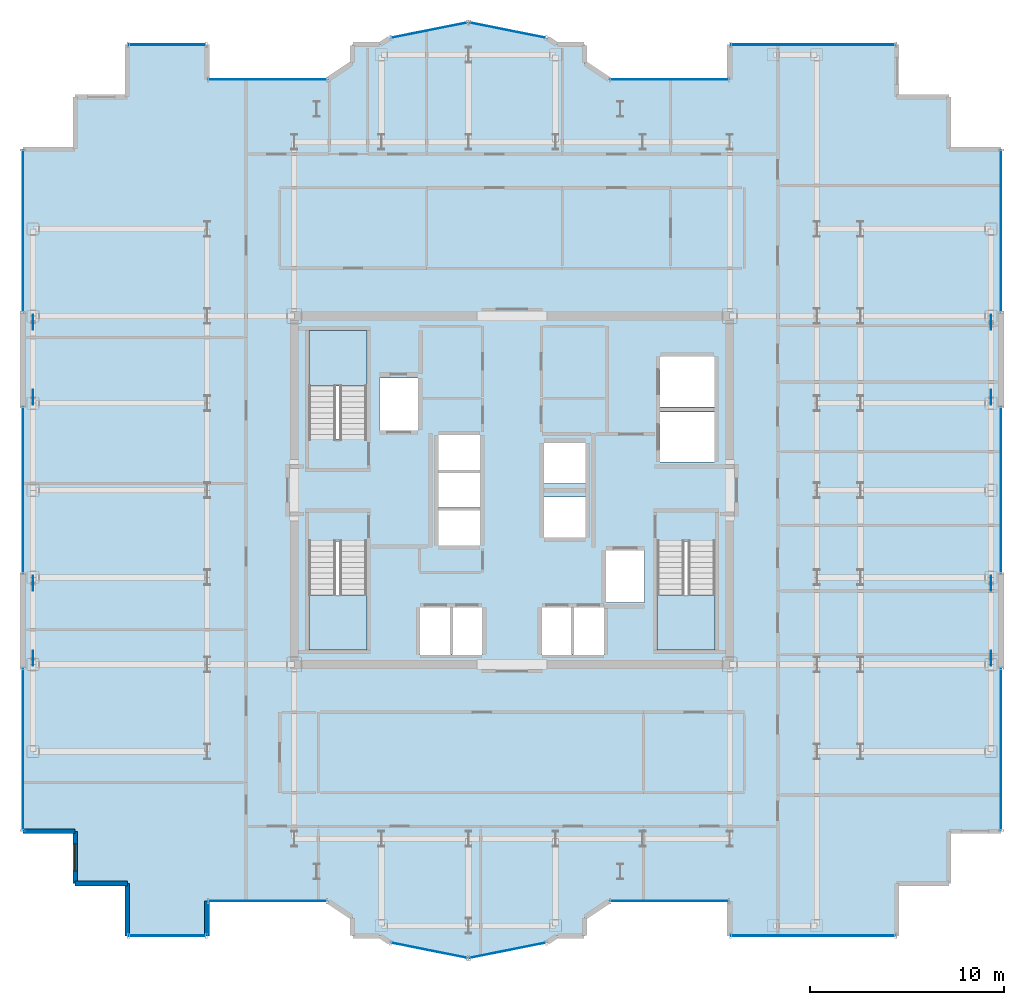
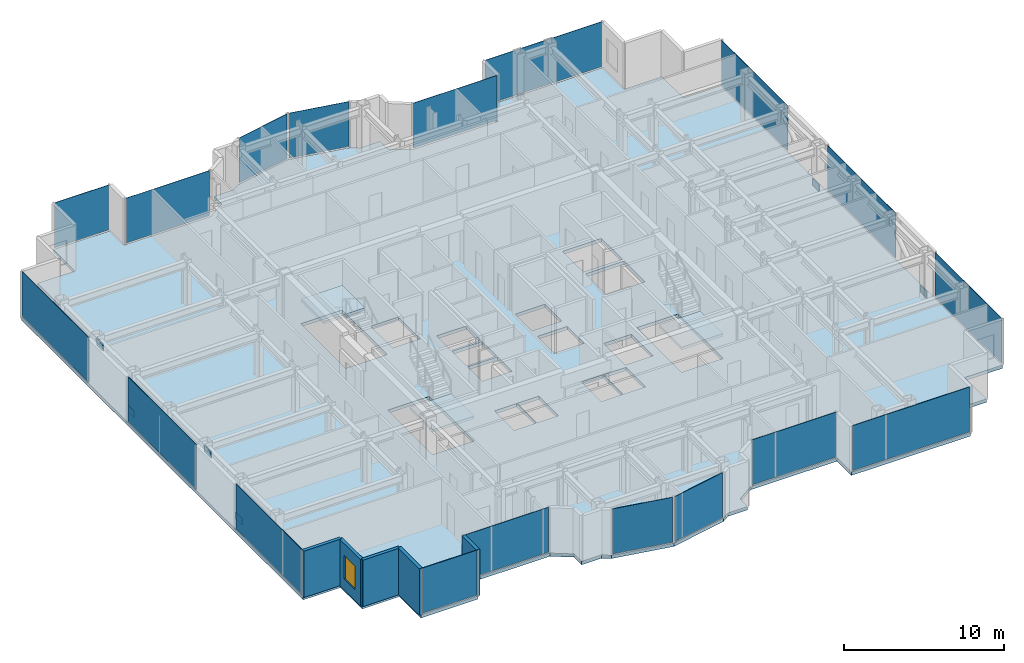
# One storey, part 14 of 21: 26 plates, 5 walls, 4 slabs, 1 window, 1 opening, 21 elements without a shape of their own.
"""IFC4 building model written with IfcOpenShell, lengths in metres."""

from ifc_helpers import new_model, si_unit, direction, frame, frame_2d, origin, origin_2d, place, context, subcontext, project, spatial, polyline, rectangle, outline, extrude, source, transform, mapped, material, layer, layer_set, type_object, element, fill, aggregate, save


model = new_model("IFC4")

# Units and contexts
model_context = context("Model", 3, precision=1e-05, world=origin(), true_north=direction((0.0, 1.0)))
body_context = subcontext(model_context, "Body", "Model", "MODEL_VIEW")
ifc_project = project(units=[si_unit("LENGTHUNIT", "METRE"), si_unit("AREAUNIT", "SQUARE_METRE"), si_unit("VOLUMEUNIT", "CUBIC_METRE"), si_unit("PLANEANGLEUNIT", "RADIAN"), si_unit("MASSUNIT", "GRAM", prefix="KILO")], contexts=[model_context])

# Site, building, storey
site_placement = place(None, origin())
site = spatial("IfcSite", under=ifc_project, at=site_placement, CompositionType="ELEMENT")
building_placement = place(site_placement, origin())
building = spatial("IfcBuilding", under=site, at=building_placement, Name="Nefas-Gora Pilgrimage Tower", CompositionType="ELEMENT")
storey_placement = place(building_placement, frame((0.0, 0.0, 252.199951171875)))
storey = spatial("IfcBuildingStorey", under=building, at=storey_placement, Name="L63", CompositionType="ELEMENT", Elevation=252.199951171875)

# Slab
ifc_material_1 = material(Name="Concrete C40/50", Category="concrete")
ifc_layer_1 = layer(ifc_material_1, 0.25)
ifc_layer_set_1 = layer_set([ifc_layer_1], Name="Concrete C40/50")
slab_type_1 = type_object("IfcSlabType", Name="SLB-TWR-260", PredefinedType="FLOOR", material=ifc_layer_set_1)
slab_1_placement = place(storey_placement, frame((0.0, 0.0, -0.25)))
element("IfcSlab", 1, at=slab_1_placement, inside=storey, type_object=slab_type_1, Name="L63 Structural Floor Slab", PredefinedType="FLOOR", context=body_context, shape_type="SweptSolid", body=[
    extrude(outline(polyline([(5.01806640625, -21.219970703125), (11.25, -21.219970703125), (11.25, -23.02001953125), (19.8701171875, -23.02001953125), (19.8701171875, -20.320068359375), (22.570068359375, -20.320068359375), (22.570068359375, -17.6201171875), (25.27001953125, -17.6201171875), (25.27001953125, 17.6201171875), (22.570068359375, 17.6201171875), (22.570068359375, 20.320068359375), (19.8701171875, 20.320068359375), (19.8701171875, 23.02001953125), (11.25, 23.02001953125), (11.25, 21.219970703125), (5.01806640625, 21.219970703125), (3.75, 22.0673828125), (3.75, 23.02001953125), (2.32421875, 23.02001953125), (1.807373046875, 23.365234375), (-2.25, 24.17236328125), (-6.307373046875, 23.365234375), (-6.82421875, 23.02001953125), (-8.25, 23.02001953125), (-8.25, 22.0673828125), (-9.51806640625, 21.219970703125), (-15.75, 21.219970703125), (-15.75, 23.02001953125), (-19.8701171875, 23.02001953125), (-19.8701171875, 20.320068359375), (-22.570068359375, 20.320068359375), (-22.570068359375, 17.6201171875), (-25.27001953125, 17.6201171875), (-25.27001953125, -17.6201171875), (-22.570068359375, -17.6201171875), (-22.570068359375, -20.320068359375), (-19.8701171875, -20.320068359375), (-19.8701171875, -23.02001953125), (-15.75, -23.02001953125), (-15.75, -21.219970703125), (-9.51806640625, -21.219970703125), (-8.25, -22.0673828125), (-8.25, -23.02001953125), (-6.82421875, -23.02001953125), (-6.307373046875, -23.365234375), (-2.25, -24.17236328125), (1.807373046875, -23.365234375), (2.32421875, -23.02001953125), (3.75, -23.02001953125), (3.75, -22.0673828125), (5.01806640625, -21.219970703125)]), holes=[polyline([(-10.5, 2.639892578125), (-10.5, 8.25), (-7.5, 8.25), (-7.5, 2.639892578125), (-10.5, 2.639892578125)]), polyline([(10.5, -2.639892578125), (10.5, -8.25), (7.5, -8.25), (7.5, -2.639892578125), (10.5, -2.639892578125)]), polyline([(-7.5, -2.639892578125), (-7.5, -8.25), (-10.5, -8.25), (-10.5, -2.639892578125), (-7.5, -2.639892578125)]), polyline([(-6.85009765625, 5.800048828125), (-4.85009765625, 5.800048828125), (-4.85009765625, 3.10009765625), (-6.85009765625, 3.10009765625), (-6.85009765625, 5.800048828125)]), polyline([(4.85009765625, -3.10009765625), (6.85009765625, -3.10009765625), (6.85009765625, -5.800048828125), (4.85009765625, -5.800048828125), (4.85009765625, -3.10009765625)]), polyline([(7.64990234375, 4.050048828125), (10.449951171875, 4.050048828125), (10.449951171875, 1.449951171875), (7.64990234375, 1.449951171875), (7.64990234375, 4.050048828125)]), polyline([(7.64990234375, 6.89990234375), (10.449951171875, 6.89990234375), (10.449951171875, 4.300048828125), (7.64990234375, 4.300048828125), (7.64990234375, 6.89990234375)]), polyline([(-4.75, -6.050048828125), (-3.14990234375, -6.050048828125), (-3.14990234375, -8.5), (-4.75, -8.5), (-4.75, -6.050048828125)]), polyline([(-3.10009765625, -6.050048828125), (-1.550048828125, -6.050048828125), (-1.550048828125, -8.5), (-3.10009765625, -8.5), (-3.10009765625, -6.050048828125)]), polyline([(1.550048828125, -6.050048828125), (3.10009765625, -6.050048828125), (3.10009765625, -8.5), (1.550048828125, -8.5), (1.550048828125, -6.050048828125)]), polyline([(3.14990234375, -6.050048828125), (4.75, -6.050048828125), (4.75, -8.5), (3.14990234375, -8.5), (3.14990234375, -6.050048828125)]), polyline([(-3.800048828125, -1.050048828125), (-1.64990234375, -1.050048828125), (-1.64990234375, -2.85009765625), (-3.800048828125, -2.85009765625), (-3.800048828125, -1.050048828125)]), polyline([(-3.800048828125, 0.89990234375), (-1.64990234375, 0.89990234375), (-1.64990234375, -0.89990234375), (-3.800048828125, -0.89990234375), (-3.800048828125, 0.89990234375)]), polyline([(-3.800048828125, 2.85009765625), (-1.64990234375, 2.85009765625), (-1.64990234375, 1.050048828125), (-3.800048828125, 1.050048828125), (-3.800048828125, 2.85009765625)]), polyline([(1.64990234375, -0.35009765625), (3.800048828125, -0.35009765625), (3.800048828125, -2.449951171875), (1.64990234375, -2.449951171875), (1.64990234375, -0.35009765625)]), polyline([(1.64990234375, 2.449951171875), (3.800048828125, 2.449951171875), (3.800048828125, 0.35009765625), (1.64990234375, 0.35009765625), (1.64990234375, 2.449951171875)])]), origin(), (0.0, 0.0, 1.0), 0.25),
])

# Stair, slab
ifc_material_2 = material(Name="Concrete C45/55", Category="concrete")
stair_type = type_object("IfcStairType", Name="STR-1400-R1727", PredefinedType="HALF_TURN_STAIR", material=ifc_material_2)
stair_1_placement = place(storey_placement, origin())
stair_1 = element("IfcStair", 2, at=stair_1_placement, inside=storey, type_object=stair_type, Name="L63 Pressurised Tower Exit Stair ST-01", PredefinedType="HALF_TURN_STAIR")
ifc_layer_2 = layer(ifc_material_1, 0.199951171875)
ifc_layer_set_2 = layer_set([ifc_layer_2], Name="Concrete C40/50")
slab_type_2 = type_object("IfcSlabType", Name="STR-LAND-200", PredefinedType="LANDING", material=ifc_layer_set_2)
slab_2_placement = place(storey_placement, frame((0.0, 0.0, 1.699951171875)))
slab_2 = element("IfcSlab", 3, at=slab_2_placement, type_object=slab_type_2, Name="ST-01 landing 1", PredefinedType="LANDING", context=body_context, shape_type="SweptSolid", body=[
    extrude(outline(polyline([(-7.5, 5.39990234375), (-7.5, 8.25), (-10.5, 8.25), (-10.5, 5.39990234375), (-7.5, 5.39990234375)])), origin(), (0.0, 0.0, 1.0), 0.2001953125),
])
aggregate(stair_1, [slab_2])

stair_2_placement = place(storey_placement, origin())
stair_2 = element("IfcStair", 4, at=stair_2_placement, inside=storey, type_object=stair_type, Name="L63 Pressurised Tower Exit Stair ST-02", PredefinedType="HALF_TURN_STAIR")
slab_3_placement = place(storey_placement, frame((0.0, 0.0, 1.699951171875)))
slab_3 = element("IfcSlab", 5, at=slab_3_placement, type_object=slab_type_2, Name="ST-02 landing 1", PredefinedType="LANDING", context=body_context, shape_type="SweptSolid", body=[
    extrude(outline(polyline([(7.5, -5.39990234375), (7.5, -8.25), (10.5, -8.25), (10.5, -5.39990234375), (7.5, -5.39990234375)])), origin(), (0.0, 0.0, 1.0), 0.2001953125),
])
aggregate(stair_2, [slab_3])

stair_3_placement = place(storey_placement, origin())
stair_3 = element("IfcStair", 6, at=stair_3_placement, inside=storey, type_object=stair_type, Name="L63 Pressurised Tower Exit Stair ST-03", PredefinedType="HALF_TURN_STAIR")
slab_4_placement = place(storey_placement, frame((0.0, 0.0, 1.699951171875)))
slab_4 = element("IfcSlab", 7, at=slab_4_placement, type_object=slab_type_2, Name="ST-03 landing 1", PredefinedType="LANDING", context=body_context, shape_type="SweptSolid", body=[
    extrude(outline(polyline([(-10.5, -5.39990234375), (-10.5, -8.25), (-7.5, -8.25), (-7.5, -5.39990234375), (-10.5, -5.39990234375)])), origin(), (0.0, 0.0, 1.0), 0.2001953125),
])
aggregate(stair_3, [slab_4])

# Plates
ifc_material_3 = material(Name="Steel S460", Category="steel")
ifc_layer_3 = layer(ifc_material_3, 0.050048828125)
ifc_layer_set_3 = layer_set([ifc_layer_3], Name="Steel S460")
plate_type_1 = type_object("IfcPlateType", Name="PLT-NODE-N08", PredefinedType="USERDEFINED", material=ifc_layer_set_3)
shared_shape_1 = source(origin(), body_context, "Body", "SweptSolid", [
    extrude(rectangle(XDim=0.780029296875, YDim=0.0380859375, at=origin_2d()), origin(), (0.0, 0.0, 1.0), 0.5400390625),
])
for number, where, z_axis, x_axis, name in (
    (8, (-24.75, -8.68701171875, 0.10400390625), (0.0, 0.0, 1.0), (0.0, 1.0, 0.0), "Structural Node Gusset Plate N08 (L63)"),
    (9, (-24.75, -4.81298828125, 2.8759765625), (0.0, 0.0, 1.0), (0.0, 1.0, 0.0), "Structural Node Gusset Plate N08 (L63)"),
    (10, (-24.75, 4.81298828125, 0.10400390625), (0.0, 0.0, 1.0), (0.0, 1.0, 0.0), "Structural Node Gusset Plate N08 (L63)"),
    (11, (-24.75, 8.68701171875, 2.8759765625), (0.0, 0.0, 1.0), (0.0, 1.0, 0.0), "Structural Node Gusset Plate N08 (L63)"),
    (12, (24.75, -8.68701171875, 0.10400390625), (0.0, 0.0, 1.0), (0.0, 1.0, 0.0), "Structural Node Gusset Plate N08 (L63)"),
    (13, (24.75, -4.81298828125, 2.8759765625), (0.0, 0.0, 1.0), (0.0, 1.0, 0.0), "Structural Node Gusset Plate N08 (L63)"),
    (14, (24.75, 4.81298828125, 0.10400390625), (0.0, 0.0, 1.0), (0.0, 1.0, 0.0), "Structural Node Gusset Plate N08 (L63)"),
    (15, (24.75, 8.68701171875, 2.8759765625), (0.0, 0.0, 1.0), (0.0, 1.0, 0.0), "Structural Node Gusset Plate N08 (L63)"),
):
    element("IfcPlate", number, at=place(storey_placement, frame(where, z_axis=z_axis, x_axis=x_axis)), inside=storey, type_object=plate_type_1, Name=name, ObjectType="GUSSET_PLATE", PredefinedType="USERDEFINED", context=body_context, shape_type="MappedRepresentation", body=[
        mapped(shared_shape_1, transform((0.0, 0.0, 0.0), x_axis=(1.0, 0.0, 0.0), y_axis=(0.0, 1.0, 0.0), z_axis=(0.0, 0.0, 1.0), scale=1.0)),
    ])

# Curtain wall, plate
ifc_material_4 = material(Name="Dark ceramic-fritted solar-control aluminium-glass curtain wall", Category="aluminium")
ifc_layer_4 = layer(ifc_material_4, 0.219970703125)
ifc_layer_set_4 = layer_set([ifc_layer_4], Name="Dark ceramic-fritted solar-control aluminium-glass curtain wall")
curtain_wall_type_1 = type_object("IfcCurtainWallType", Name="CW-SYS-5", PredefinedType="NOTDEFINED", material=ifc_layer_set_4)
curtain_wall_1_placement = place(storey_placement, origin())
curtain_wall_1 = element("IfcCurtainWall", 16, at=curtain_wall_1_placement, inside=storey, type_object=curtain_wall_type_1, Name="L63 Unitised Curtain Wall CW5", PredefinedType="NOTDEFINED")
ifc_material_5 = material(Name="Dark ceramic-printed low-e insulated glass", Category="glass")
ifc_layer_5 = layer(ifc_material_5, 0.028076171875)
ifc_layer_set_5 = layer_set([ifc_layer_5], Name="Dark ceramic-printed low-e insulated glass")
plate_type_2 = type_object("IfcPlateType", Name="CWP-PNL-5", PredefinedType="CURTAIN_PANEL", material=ifc_layer_set_5)
shared_shape_2 = source(origin(), body_context, "Body", "SweptSolid", [
    extrude(rectangle(XDim=6.052001953125, YDim=0.028076171875, at=origin_2d()), origin(), (0.0, 0.0, 1.0), 3.43994140625),
])
plate_1_placement = place(storey_placement, frame((8.134033203125, -21.219970703125, 0.10009765625), z_axis=(0.0, 0.0, 1.0), x_axis=(1.0, 0.0, 0.0)))
plate_1 = element("IfcPlate", 17, at=plate_1_placement, type_object=plate_type_2, Name="CW5 Ceramic-Fritted Glazing Panel 1", PredefinedType="CURTAIN_PANEL", context=body_context, shape_type="MappedRepresentation", body=[
    mapped(shared_shape_2, transform((0.0, 0.0, 0.0), x_axis=(1.0, 0.0, 0.0), y_axis=(0.0, 1.0, 0.0), z_axis=(0.0, 0.0, 1.0), scale=1.0)),
])
aggregate(curtain_wall_1, [plate_1])

curtain_wall_2_placement = place(storey_placement, origin())
curtain_wall_2 = element("IfcCurtainWall", 18, at=curtain_wall_2_placement, inside=storey, type_object=curtain_wall_type_1, Name="L63 Unitised Curtain Wall CW5", PredefinedType="NOTDEFINED")
plate_2_placement = place(storey_placement, frame((8.134033203125, 21.219970703125, 0.10009765625), z_axis=(0.0, 0.0, 1.0), x_axis=(-1.0, 0.0, 0.0)))
plate_2 = element("IfcPlate", 19, at=plate_2_placement, type_object=plate_type_2, Name="CW5 Ceramic-Fritted Glazing Panel 1", PredefinedType="CURTAIN_PANEL", context=body_context, shape_type="MappedRepresentation", body=[
    mapped(shared_shape_2, transform((0.0, 0.0, 0.0), x_axis=(1.0, 0.0, 0.0), y_axis=(0.0, 1.0, 0.0), z_axis=(0.0, 0.0, 1.0), scale=1.0)),
])
aggregate(curtain_wall_2, [plate_2])

curtain_wall_3_placement = place(storey_placement, origin())
curtain_wall_3 = element("IfcCurtainWall", 20, at=curtain_wall_3_placement, inside=storey, type_object=curtain_wall_type_1, Name="L63 Unitised Curtain Wall CW5", PredefinedType="NOTDEFINED")
plate_3_placement = place(storey_placement, frame((-12.634033203125, 21.219970703125, 0.10009765625), z_axis=(0.0, 0.0, 1.0), x_axis=(-1.0, 0.0, 0.0)))
plate_3 = element("IfcPlate", 21, at=plate_3_placement, type_object=plate_type_2, Name="CW5 Ceramic-Fritted Glazing Panel 1", PredefinedType="CURTAIN_PANEL", context=body_context, shape_type="MappedRepresentation", body=[
    mapped(shared_shape_2, transform((0.0, 0.0, 0.0), x_axis=(1.0, 0.0, 0.0), y_axis=(0.0, 1.0, 0.0), z_axis=(0.0, 0.0, 1.0), scale=1.0)),
])
aggregate(curtain_wall_3, [plate_3])

curtain_wall_4_placement = place(storey_placement, origin())
curtain_wall_4 = element("IfcCurtainWall", 22, at=curtain_wall_4_placement, inside=storey, type_object=curtain_wall_type_1, Name="L63 Unitised Curtain Wall CW5", PredefinedType="NOTDEFINED")
plate_4_placement = place(storey_placement, frame((-12.634033203125, -21.219970703125, 0.10009765625), z_axis=(0.0, 0.0, 1.0), x_axis=(1.0, 0.0, 0.0)))
plate_4 = element("IfcPlate", 23, at=plate_4_placement, type_object=plate_type_2, Name="CW5 Ceramic-Fritted Glazing Panel 1", PredefinedType="CURTAIN_PANEL", context=body_context, shape_type="MappedRepresentation", body=[
    mapped(shared_shape_2, transform((0.0, 0.0, 0.0), x_axis=(1.0, 0.0, 0.0), y_axis=(0.0, 1.0, 0.0), z_axis=(0.0, 0.0, 1.0), scale=1.0)),
])
aggregate(curtain_wall_4, [plate_4])

curtain_wall_5_placement = place(storey_placement, origin())
curtain_wall_5 = element("IfcCurtainWall", 24, at=curtain_wall_5_placement, inside=storey, type_object=curtain_wall_type_1, Name="L63 Unitised Curtain Wall CW5", PredefinedType="NOTDEFINED")
shared_shape_3 = source(origin(), body_context, "Body", "SweptSolid", [
    extrude(rectangle(XDim=3.956787109375, YDim=0.028076171875, at=origin_2d()), origin(), (0.0, 0.0, 1.0), 3.43994140625),
])
plate_5_placement = place(storey_placement, frame((-0.22119140625, 23.768798828125, 0.10009765625), z_axis=(0.0, 0.0, 1.0), x_axis=(-0.980782896852, 0.195102304554, 0.0)))
plate_5 = element("IfcPlate", 25, at=plate_5_placement, type_object=plate_type_2, Name="CW5 Ceramic-Fritted Glazing Panel 1", PredefinedType="CURTAIN_PANEL", context=body_context, shape_type="MappedRepresentation", body=[
    mapped(shared_shape_3, transform((0.0, 0.0, 0.0), x_axis=(1.0, 0.0, 0.0), y_axis=(0.0, 1.0, 0.0), z_axis=(0.0, 0.0, 1.0), scale=1.0)),
])
aggregate(curtain_wall_5, [plate_5])

curtain_wall_6_placement = place(storey_placement, origin())
curtain_wall_6 = element("IfcCurtainWall", 26, at=curtain_wall_6_placement, inside=storey, type_object=curtain_wall_type_1, Name="L63 Unitised Curtain Wall CW5", PredefinedType="NOTDEFINED")
plate_6_placement = place(storey_placement, frame((-4.278564453125, 23.768798828125, 0.10009765625), z_axis=(0.0, 0.0, 1.0), x_axis=(-0.980782896852, -0.195102304554, 0.0)))
plate_6 = element("IfcPlate", 27, at=plate_6_placement, type_object=plate_type_2, Name="CW5 Ceramic-Fritted Glazing Panel 1", PredefinedType="CURTAIN_PANEL", context=body_context, shape_type="MappedRepresentation", body=[
    mapped(shared_shape_3, transform((0.0, 0.0, 0.0), x_axis=(1.0, 0.0, 0.0), y_axis=(0.0, 1.0, 0.0), z_axis=(0.0, 0.0, 1.0), scale=1.0)),
])
aggregate(curtain_wall_6, [plate_6])

curtain_wall_7_placement = place(storey_placement, origin())
curtain_wall_7 = element("IfcCurtainWall", 28, at=curtain_wall_7_placement, inside=storey, type_object=curtain_wall_type_1, Name="L63 Unitised Curtain Wall CW5", PredefinedType="NOTDEFINED")
plate_7_placement = place(storey_placement, frame((-4.278564453125, -23.768798828125, 0.10009765625), z_axis=(0.0, 0.0, 1.0), x_axis=(0.980782896852, -0.195102304554, 0.0)))
plate_7 = element("IfcPlate", 29, at=plate_7_placement, type_object=plate_type_2, Name="CW5 Ceramic-Fritted Glazing Panel 1", PredefinedType="CURTAIN_PANEL", context=body_context, shape_type="MappedRepresentation", body=[
    mapped(shared_shape_3, transform((0.0, 0.0, 0.0), x_axis=(1.0, 0.0, 0.0), y_axis=(0.0, 1.0, 0.0), z_axis=(0.0, 0.0, 1.0), scale=1.0)),
])
aggregate(curtain_wall_7, [plate_7])

curtain_wall_8_placement = place(storey_placement, origin())
curtain_wall_8 = element("IfcCurtainWall", 30, at=curtain_wall_8_placement, inside=storey, type_object=curtain_wall_type_1, Name="L63 Unitised Curtain Wall CW5", PredefinedType="NOTDEFINED")
plate_8_placement = place(storey_placement, frame((-0.221435546875, -23.768798828125, 0.10009765625), z_axis=(0.0, 0.0, 1.0), x_axis=(0.980782896852, 0.195102304554, 0.0)))
plate_8 = element("IfcPlate", 31, at=plate_8_placement, type_object=plate_type_2, Name="CW5 Ceramic-Fritted Glazing Panel 1", PredefinedType="CURTAIN_PANEL", context=body_context, shape_type="MappedRepresentation", body=[
    mapped(shared_shape_3, transform((0.0, 0.0, 0.0), x_axis=(1.0, 0.0, 0.0), y_axis=(0.0, 1.0, 0.0), z_axis=(0.0, 0.0, 1.0), scale=1.0)),
])
aggregate(curtain_wall_8, [plate_8])

ifc_layer_6 = layer(ifc_material_4, 0.219970703125)
ifc_layer_set_6 = layer_set([ifc_layer_6], Name="Dark ceramic-fritted solar-control aluminium-glass curtain wall")
curtain_wall_type_2 = type_object("IfcCurtainWallType", Name="CW-SYS-3", PredefinedType="NOTDEFINED", material=ifc_layer_set_6)
curtain_wall_9_placement = place(storey_placement, origin())
curtain_wall_9 = element("IfcCurtainWall", 32, at=curtain_wall_9_placement, inside=storey, type_object=curtain_wall_type_2, Name="L63 Unitised Curtain Wall CW3", PredefinedType="NOTDEFINED")
ifc_layer_7 = layer(ifc_material_5, 0.033935546875)
ifc_layer_set_7 = layer_set([ifc_layer_7], Name="Dark ceramic-printed low-e insulated glass")
plate_type_3 = type_object("IfcPlateType", Name="CWP-PNL-3", PredefinedType="CURTAIN_PANEL", material=ifc_layer_set_7)
shared_shape_4 = source(origin(), body_context, "Body", "SweptSolid", [
    extrude(rectangle(XDim=8.43994140625, YDim=0.033935546875, at=origin_2d()), origin(), (0.0, 0.0, 1.0), 3.43994140625),
])
plate_9_placement = place(storey_placement, frame((15.56005859375, -23.02001953125, 0.10009765625), z_axis=(0.0, 0.0, 1.0), x_axis=(1.0, 0.0, 0.0)))
plate_9 = element("IfcPlate", 33, at=plate_9_placement, type_object=plate_type_3, Name="CW3 Ceramic-Fritted Glazing Panel 1", PredefinedType="CURTAIN_PANEL", context=body_context, shape_type="MappedRepresentation", body=[
    mapped(shared_shape_4, transform((0.0, 0.0, 0.0), x_axis=(1.0, 0.0, 0.0), y_axis=(0.0, 1.0, 0.0), z_axis=(0.0, 0.0, 1.0), scale=1.0)),
])
aggregate(curtain_wall_9, [plate_9])

curtain_wall_10_placement = place(storey_placement, origin())
curtain_wall_10 = element("IfcCurtainWall", 34, at=curtain_wall_10_placement, inside=storey, type_object=curtain_wall_type_2, Name="L63 Unitised Curtain Wall CW3", PredefinedType="NOTDEFINED")
plate_10_placement = place(storey_placement, frame((15.56005859375, 23.02001953125, 0.10009765625), z_axis=(0.0, 0.0, 1.0), x_axis=(-1.0, 0.0, 0.0)))
plate_10 = element("IfcPlate", 35, at=plate_10_placement, type_object=plate_type_3, Name="CW3 Ceramic-Fritted Glazing Panel 1", PredefinedType="CURTAIN_PANEL", context=body_context, shape_type="MappedRepresentation", body=[
    mapped(shared_shape_4, transform((0.0, 0.0, 0.0), x_axis=(1.0, 0.0, 0.0), y_axis=(0.0, 1.0, 0.0), z_axis=(0.0, 0.0, 1.0), scale=1.0)),
])
aggregate(curtain_wall_10, [plate_10])

curtain_wall_11_placement = place(storey_placement, origin())
curtain_wall_11 = element("IfcCurtainWall", 36, at=curtain_wall_11_placement, inside=storey, type_object=curtain_wall_type_2, Name="L63 Unitised Curtain Wall CW3", PredefinedType="NOTDEFINED")
shared_shape_5 = source(origin(), body_context, "Body", "SweptSolid", [
    extrude(rectangle(XDim=8.2900390625, YDim=0.033935546875, at=origin_2d()), origin(), (0.0, 0.0, 1.0), 3.43994140625),
])
plate_11_placement = place(storey_placement, frame((25.27001953125, -13.385009765625, 0.10009765625), z_axis=(0.0, 0.0, 1.0), x_axis=(0.0, 1.0, 0.0)))
plate_11 = element("IfcPlate", 37, at=plate_11_placement, type_object=plate_type_3, Name="CW3 Ceramic-Fritted Glazing Panel 1", PredefinedType="CURTAIN_PANEL", context=body_context, shape_type="MappedRepresentation", body=[
    mapped(shared_shape_5, transform((0.0, 0.0, 0.0), x_axis=(1.0, 0.0, 0.0), y_axis=(0.0, 1.0, 0.0), z_axis=(0.0, 0.0, 1.0), scale=1.0)),
])
aggregate(curtain_wall_11, [plate_11])

curtain_wall_12_placement = place(storey_placement, origin())
curtain_wall_12 = element("IfcCurtainWall", 38, at=curtain_wall_12_placement, inside=storey, type_object=curtain_wall_type_2, Name="L63 Unitised Curtain Wall CW3", PredefinedType="NOTDEFINED")
plate_12_placement = place(storey_placement, frame((25.27001953125, 13.385009765625, 0.10009765625), z_axis=(0.0, 0.0, 1.0), x_axis=(0.0, 1.0, 0.0)))
plate_12 = element("IfcPlate", 39, at=plate_12_placement, type_object=plate_type_3, Name="CW3 Ceramic-Fritted Glazing Panel 1", PredefinedType="CURTAIN_PANEL", context=body_context, shape_type="MappedRepresentation", body=[
    mapped(shared_shape_5, transform((0.0, 0.0, 0.0), x_axis=(1.0, 0.0, 0.0), y_axis=(0.0, 1.0, 0.0), z_axis=(0.0, 0.0, 1.0), scale=1.0)),
])
aggregate(curtain_wall_12, [plate_12])

curtain_wall_13_placement = place(storey_placement, origin())
curtain_wall_13 = element("IfcCurtainWall", 40, at=curtain_wall_13_placement, inside=storey, type_object=curtain_wall_type_2, Name="L63 Unitised Curtain Wall CW3", PredefinedType="NOTDEFINED")
plate_13_placement = place(storey_placement, frame((-25.27001953125, 13.385009765625, 0.10009765625), z_axis=(0.0, 0.0, 1.0), x_axis=(0.0, -1.0, 0.0)))
plate_13 = element("IfcPlate", 41, at=plate_13_placement, type_object=plate_type_3, Name="CW3 Ceramic-Fritted Glazing Panel 1", PredefinedType="CURTAIN_PANEL", context=body_context, shape_type="MappedRepresentation", body=[
    mapped(shared_shape_5, transform((0.0, 0.0, 0.0), x_axis=(1.0, 0.0, 0.0), y_axis=(0.0, 1.0, 0.0), z_axis=(0.0, 0.0, 1.0), scale=1.0)),
])
aggregate(curtain_wall_13, [plate_13])

curtain_wall_14_placement = place(storey_placement, origin())
curtain_wall_14 = element("IfcCurtainWall", 42, at=curtain_wall_14_placement, inside=storey, type_object=curtain_wall_type_2, Name="L63 Unitised Curtain Wall CW3", PredefinedType="NOTDEFINED")
plate_14_placement = place(storey_placement, frame((-25.27001953125, -13.385009765625, 0.10009765625), z_axis=(0.0, 0.0, 1.0), x_axis=(0.0, -1.0, 0.0)))
plate_14 = element("IfcPlate", 43, at=plate_14_placement, type_object=plate_type_3, Name="CW3 Ceramic-Fritted Glazing Panel 1", PredefinedType="CURTAIN_PANEL", context=body_context, shape_type="MappedRepresentation", body=[
    mapped(shared_shape_5, transform((0.0, 0.0, 0.0), x_axis=(1.0, 0.0, 0.0), y_axis=(0.0, 1.0, 0.0), z_axis=(0.0, 0.0, 1.0), scale=1.0)),
])
aggregate(curtain_wall_14, [plate_14])

curtain_wall_15_placement = place(storey_placement, origin())
curtain_wall_15 = element("IfcCurtainWall", 44, at=curtain_wall_15_placement, inside=storey, type_object=curtain_wall_type_2, Name="L63 Unitised Curtain Wall CW3", PredefinedType="NOTDEFINED")
shared_shape_6 = source(origin(), body_context, "Body", "SweptSolid", [
    extrude(rectangle(XDim=8.52001953125, YDim=0.033935546875, at=origin_2d()), origin(), (0.0, 0.0, 1.0), 3.43994140625),
])
plate_15_placement = place(storey_placement, frame((25.27001953125, 0.0, 0.10009765625), z_axis=(0.0, 0.0, 1.0), x_axis=(0.0, 1.0, 0.0)))
plate_15 = element("IfcPlate", 45, at=plate_15_placement, type_object=plate_type_3, Name="CW3 Ceramic-Fritted Glazing Panel 1", PredefinedType="CURTAIN_PANEL", context=body_context, shape_type="MappedRepresentation", body=[
    mapped(shared_shape_6, transform((0.0, 0.0, 0.0), x_axis=(1.0, 0.0, 0.0), y_axis=(0.0, 1.0, 0.0), z_axis=(0.0, 0.0, 1.0), scale=1.0)),
])
aggregate(curtain_wall_15, [plate_15])

curtain_wall_16_placement = place(storey_placement, origin())
curtain_wall_16 = element("IfcCurtainWall", 46, at=curtain_wall_16_placement, inside=storey, type_object=curtain_wall_type_2, Name="L63 Unitised Curtain Wall CW3", PredefinedType="NOTDEFINED")
plate_16_placement = place(storey_placement, frame((-25.27001953125, 0.0, 0.10009765625), z_axis=(0.0, 0.0, 1.0), x_axis=(0.0, -1.0, 0.0)))
plate_16 = element("IfcPlate", 47, at=plate_16_placement, type_object=plate_type_3, Name="CW3 Ceramic-Fritted Glazing Panel 1", PredefinedType="CURTAIN_PANEL", context=body_context, shape_type="MappedRepresentation", body=[
    mapped(shared_shape_6, transform((0.0, 0.0, 0.0), x_axis=(1.0, 0.0, 0.0), y_axis=(0.0, 1.0, 0.0), z_axis=(0.0, 0.0, 1.0), scale=1.0)),
])
aggregate(curtain_wall_16, [plate_16])

curtain_wall_17_placement = place(storey_placement, origin())
curtain_wall_17 = element("IfcCurtainWall", 48, at=curtain_wall_17_placement, inside=storey, type_object=curtain_wall_type_2, Name="L63 Unitised Curtain Wall CW3", PredefinedType="NOTDEFINED")
shared_shape_7 = source(origin(), body_context, "Body", "SweptSolid", [
    extrude(rectangle(XDim=3.93994140625, YDim=0.033935546875, at=origin_2d()), origin(), (0.0, 0.0, 1.0), 3.43994140625),
])
plate_17_placement = place(storey_placement, frame((-17.81005859375, 23.02001953125, 0.10009765625), z_axis=(0.0, 0.0, 1.0), x_axis=(-1.0, 0.0, 0.0)))
plate_17 = element("IfcPlate", 49, at=plate_17_placement, type_object=plate_type_3, Name="CW3 Ceramic-Fritted Glazing Panel 1", PredefinedType="CURTAIN_PANEL", context=body_context, shape_type="MappedRepresentation", body=[
    mapped(shared_shape_7, transform((0.0, 0.0, 0.0), x_axis=(1.0, 0.0, 0.0), y_axis=(0.0, 1.0, 0.0), z_axis=(0.0, 0.0, 1.0), scale=1.0)),
])
aggregate(curtain_wall_17, [plate_17])

curtain_wall_18_placement = place(storey_placement, origin())
curtain_wall_18 = element("IfcCurtainWall", 50, at=curtain_wall_18_placement, inside=storey, type_object=curtain_wall_type_2, Name="L63 Unitised Curtain Wall CW3", PredefinedType="NOTDEFINED")
plate_18_placement = place(storey_placement, frame((-17.81005859375, -23.02001953125, 0.10009765625), z_axis=(0.0, 0.0, 1.0), x_axis=(1.0, 0.0, 0.0)))
plate_18 = element("IfcPlate", 51, at=plate_18_placement, type_object=plate_type_3, Name="CW3 Ceramic-Fritted Glazing Panel 1", PredefinedType="CURTAIN_PANEL", context=body_context, shape_type="MappedRepresentation", body=[
    mapped(shared_shape_7, transform((0.0, 0.0, 0.0), x_axis=(1.0, 0.0, 0.0), y_axis=(0.0, 1.0, 0.0), z_axis=(0.0, 0.0, 1.0), scale=1.0)),
])
aggregate(curtain_wall_18, [plate_18])

# Walls
ifc_material_6 = material(Name="Precast concrete C40/50", Category="concrete")
ifc_layer_8 = layer(ifc_material_6, 0.260009765625)
ifc_layer_set_8 = layer_set([ifc_layer_8], Name="Precast concrete C40/50")
wall_type_1 = type_object("IfcWallType", Name="EW-PORTAL-260", PredefinedType="SOLIDWALL", material=ifc_layer_set_8)
shared_shape_8 = source(origin(), body_context, "Body", "SweptSolid", [
    extrude(rectangle(XDim=1.800048828125, YDim=0.260009765625, at=frame_2d((0.89990234375, 0.0))), origin(), (0.0, 0.0, 1.0), 3.550048828125),
])
wall_1_placement = place(storey_placement, frame((-15.75, -23.02001953125, 0.0), z_axis=(0.0, 0.0, 1.0), x_axis=(0.0, 1.0, 0.0)))
element("IfcWall", 52, at=wall_1_placement, inside=storey, type_object=wall_type_1, Name="L63 Lobe Shoulder Precast Spandrel Pier 32", PredefinedType="SOLIDWALL", context=body_context, shape_type="MappedRepresentation", body=[
    mapped(shared_shape_8, transform((0.0, 0.0, 0.0), x_axis=(1.0, 0.0, 0.0), y_axis=(0.0, 1.0, 0.0), z_axis=(0.0, 0.0, 1.0), scale=1.0)),
])
ifc_material_7 = material(Name="Precast concrete C45/55", Category="concrete")
ifc_layer_9 = layer(ifc_material_7, 0.239990234375)
ifc_layer_set_9 = layer_set([ifc_layer_9], Name="Precast concrete C45/55")
wall_type_2 = type_object("IfcWallType", Name="EW-SERR-240", PredefinedType="SHEAR", material=ifc_layer_set_9)
shared_shape_9 = source(origin(), body_context, "Body", "SweptSolid", [
    extrude(rectangle(XDim=2.699951171875, YDim=0.239990234375, at=frame_2d((1.35009765625, 0.0))), origin(), (0.0, 0.0, 1.0), 3.550048828125),
])
wall_2_placement = place(storey_placement, frame((-25.27001953125, -17.6201171875, 0.0), z_axis=(0.0, 0.0, 1.0), x_axis=(1.0, 0.0, 0.0)))
element("IfcWall", 53, at=wall_2_placement, inside=storey, type_object=wall_type_2, Name="L63 Serrated Corner Shear Pier Wall 28", PredefinedType="SHEAR", context=body_context, shape_type="MappedRepresentation", body=[
    mapped(shared_shape_9, transform((0.0, 0.0, 0.0), x_axis=(1.0, 0.0, 0.0), y_axis=(0.0, 1.0, 0.0), z_axis=(0.0, 0.0, 1.0), scale=1.0)),
])

# Wall, opening, window
wall_3_placement = place(storey_placement, frame((-22.570068359375, -17.6201171875, 0.0), z_axis=(0.0, 0.0, 1.0), x_axis=(0.0, -1.0, 0.0)))
wall_3 = element("IfcWall", 54, at=wall_3_placement, inside=storey, type_object=wall_type_2, Name="L63 Serrated Corner Shear Pier Wall 29", PredefinedType="SHEAR", context=body_context, shape_type="MappedRepresentation", body=[
    mapped(shared_shape_9, transform((0.0, 0.0, 0.0), x_axis=(1.0, 0.0, 0.0), y_axis=(0.0, 1.0, 0.0), z_axis=(0.0, 0.0, 1.0), scale=1.0)),
])
opening_placement = place(wall_3_placement, frame((0.64990234375, 0.0, 0.85009765625)))
opening = element("IfcOpeningElement", 55, at=opening_placement, cuts=wall_3, Name="Opening W-V2", PredefinedType="OPENING", context=body_context, shape_type="SweptSolid", body=[
    extrude(rectangle(XDim=1.39990234375, YDim=1.800048828125, at=frame_2d((0.699951171875, 0.89990234375))), frame((0.0, 0.1298828125, 0.0), z_axis=(0.0, -1.0, 0.0), x_axis=(1.0, 0.0, 0.0)), (0.0, 0.0, 1.0), 0.260009765625),
])
ifc_material_8 = material(Name="Dark ceramic-fritted operable aluminium-glass window", Category="aluminium")
window_type = type_object("IfcWindowType", Name="WIN-VENT-1400x1800", PartitioningType="SINGLE_PANEL", PredefinedType="WINDOW", material=ifc_material_8)
shared_shape_10 = source(origin(), body_context, "Body", "SweptSolid", [
    extrude(rectangle(XDim=1.39990234375, YDim=1.800048828125, at=frame_2d((0.699951171875, 0.89990234375))), frame((0.0, 0.030029296875, 0.0), z_axis=(0.0, -1.0, 0.0), x_axis=(1.0, 0.0, 0.0)), (0.0, 0.0, 1.0), 0.06005859375),
])
window_placement = place(opening_placement, origin())
window = element("IfcWindow", 56, at=window_placement, inside=storey, type_object=window_type, Name="L63 Operable Parallel-Outswing Window 29", OverallHeight=1.800048828125, OverallWidth=1.39990234375, PartitioningType="SINGLE_PANEL", PredefinedType="WINDOW", context=body_context, shape_type="MappedRepresentation", body=[
    mapped(shared_shape_10, transform((0.0, 0.0, 0.0), x_axis=(1.0, 0.0, 0.0), y_axis=(0.0, 1.0, 0.0), z_axis=(0.0, 0.0, 1.0), scale=1.0)),
])
fill(opening, window)

# Walls
for number, where, z_axis, x_axis, name in (
    (57, (-22.570068359375, -20.320068359375, 0.0), (0.0, 0.0, 1.0), (1.0, 0.0, 0.0), "L63 Serrated Corner Shear Pier Wall 30"),
    (58, (-19.8701171875, -20.320068359375, 0.0), (0.0, 0.0, 1.0), (0.0, -1.0, 0.0), "L63 Serrated Corner Shear Pier Wall 31"),
):
    element("IfcWall", number, at=place(storey_placement, frame(where, z_axis=z_axis, x_axis=x_axis)), inside=storey, type_object=wall_type_2, Name=name, PredefinedType="SHEAR", context=body_context, shape_type="MappedRepresentation", body=[
        mapped(shared_shape_9, transform((0.0, 0.0, 0.0), x_axis=(1.0, 0.0, 0.0), y_axis=(0.0, 1.0, 0.0), z_axis=(0.0, 0.0, 1.0), scale=1.0)),
    ])

save(model, "model.ifc")
